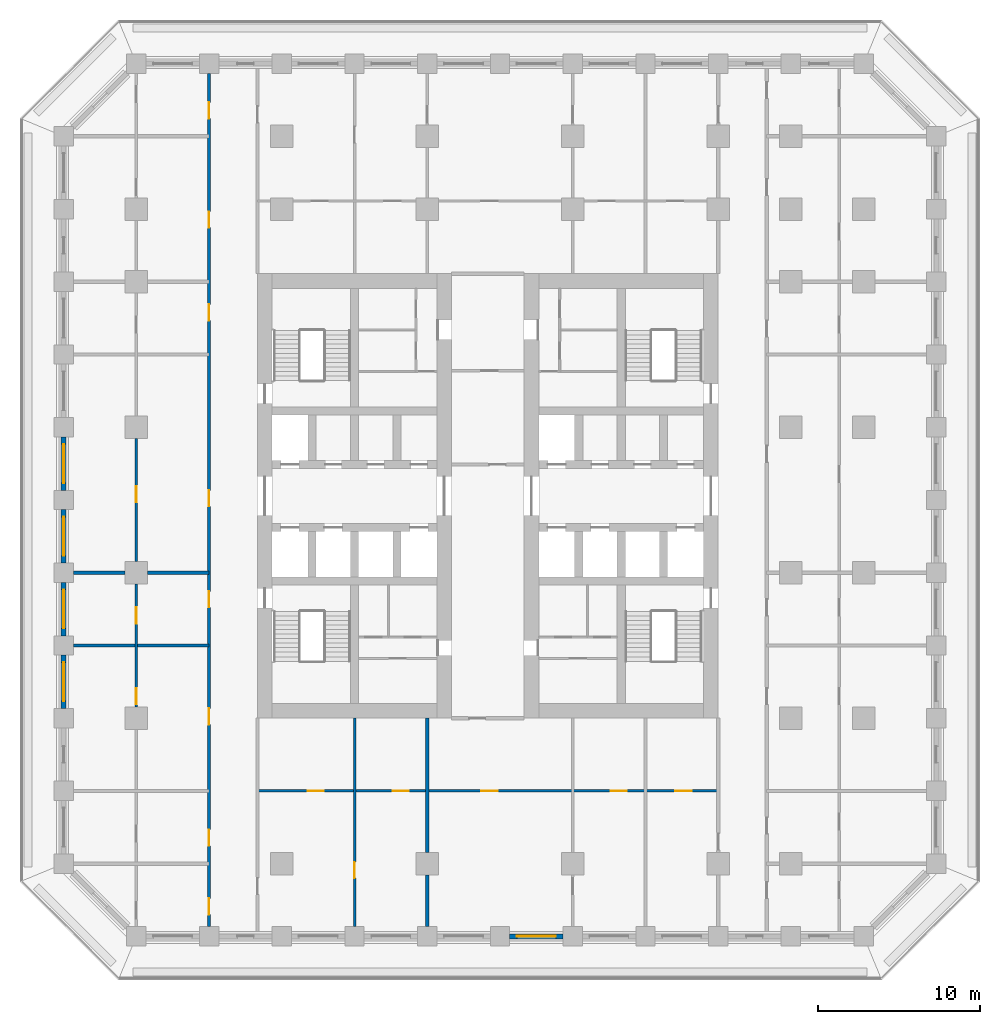
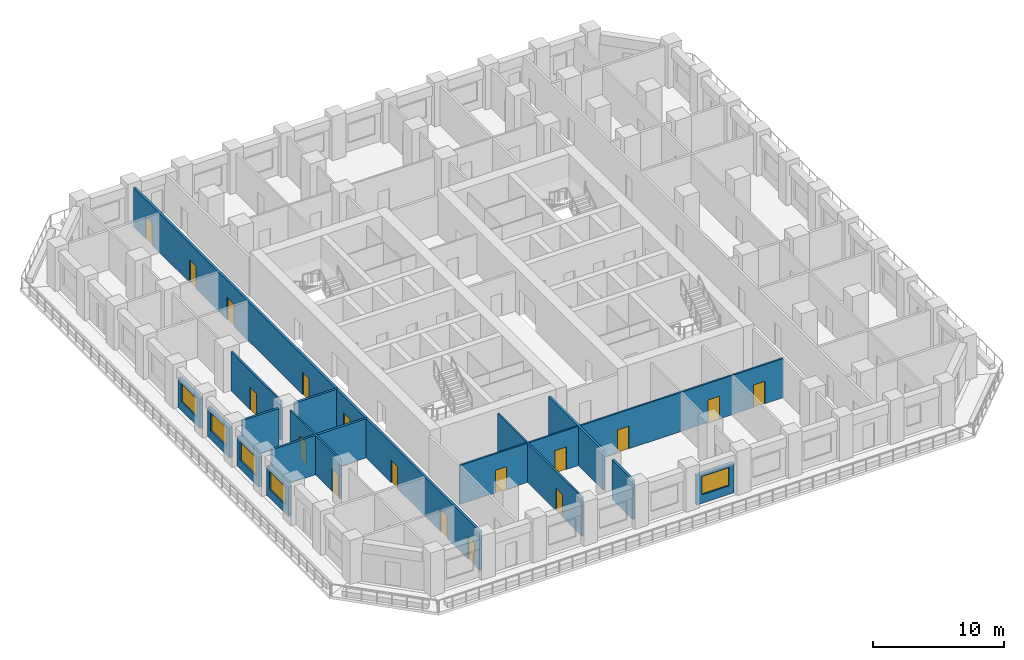
# One storey, part 3 of 18: 17 doors, 15 walls, 5 windows, 22 openings.
"""IFC4 building model written with IfcOpenShell, lengths in metres."""

from ifc_helpers import new_model, si_unit, direction, frame, frame_2d, origin, place, context, subcontext, project, spatial, rectangle, extrude, material, layer, layer_set, type_object, element, fill, save


model = new_model("IFC4")

# Units and contexts
model_context = context("Model", 3, precision=1e-05, world=origin(), true_north=direction((0.0, 1.0)))
body_context = subcontext(model_context, "Body", "Model", "MODEL_VIEW")
ifc_project = project(units=[si_unit("LENGTHUNIT", "METRE"), si_unit("AREAUNIT", "SQUARE_METRE"), si_unit("VOLUMEUNIT", "CUBIC_METRE"), si_unit("PLANEANGLEUNIT", "RADIAN"), si_unit("MASSUNIT", "GRAM", prefix="KILO")], contexts=[model_context])

# Site, building, storey
site_placement = place(None, origin())
site = spatial("IfcSite", under=ifc_project, at=site_placement, CompositionType="ELEMENT")
building_placement = place(site_placement, origin())
building = spatial("IfcBuilding", under=site, at=building_placement, Name="Corbel Stack Research Tower", CompositionType="ELEMENT")
storey_placement = place(building_placement, frame((0.0, 0.0, 102.5)))
storey = spatial("IfcBuildingStorey", under=building, at=storey_placement, Name="L23", CompositionType="ELEMENT", Elevation=102.5)

# Wall, opening, door
ifc_material_1 = material(Name="Fire-rated gypsum board partition on steel studs", Category="steel")
ifc_layer_1 = layer(ifc_material_1, 0.14990234375)
ifc_layer_set_1 = layer_set([ifc_layer_1], Name="Fire-rated gypsum board partition on steel studs")
wall_type_1 = type_object("IfcWallType", Name="Fire-rated partition 150 EI 60", PredefinedType="PARTITIONING", material=ifc_layer_set_1)
wall_1_placement = place(storey_placement, frame((-4.5, -9.0, 0.0), z_axis=(0.0, 0.0, 1.0), x_axis=(0.0, -1.0, 0.0)))
wall_1 = element("IfcWall", 1, at=wall_1_placement, inside=storey, type_object=wall_type_1, Name="Partition L23-010", PredefinedType="PARTITIONING", context=body_context, shape_type="SweptSolid", body=[
    extrude(rectangle(XDim=12.89990234375, YDim=0.14990234375, at=frame_2d((6.449951171875, 0.0))), origin(), (0.0, 0.0, 1.0), 3.64990234375),
])
opening_1_placement = place(wall_1_placement, frame((8.89990234375, 0.0, 0.0)))
opening_1 = element("IfcOpeningElement", 2, at=opening_1_placement, cuts=wall_1, Name="Opening B3V2-025", PredefinedType="OPENING", context=body_context, shape_type="SweptSolid", body=[
    extrude(rectangle(XDim=1.0, YDim=2.10009765625, at=frame_2d((0.5, 1.050048828125))), frame((0.0, 0.0849609375, 0.0), z_axis=(0.0, -1.0, 0.0), x_axis=(1.0, 0.0, 0.0)), (0.0, 0.0, 1.0), 0.169921875),
])
ifc_material_2 = material(Name="Painted steel fire door", Category="steel")
door_type_1 = type_object("IfcDoorType", Name="Fire door FD30S 1000 x 2100", OperationType="NOTDEFINED", PredefinedType="DOOR", material=ifc_material_2)
door_1_placement = place(opening_1_placement, origin())
door_1 = element("IfcDoor", 3, at=door_1_placement, inside=storey, type_object=door_type_1, Name="Door B3V2-025", OperationType="SINGLE_SWING_RIGHT", OverallHeight=2.10009765625, OverallWidth=1.0, PredefinedType="DOOR", context=body_context, shape_type="SweptSolid", body=[
    extrude(rectangle(XDim=1.0, YDim=2.10009765625, at=frame_2d((0.5, 1.050048828125))), frame((0.0, 0.02490234375, 0.0), z_axis=(0.0, -1.0, 0.0), x_axis=(1.0, 0.0, 0.0)), (0.0, 0.0, 1.0), 0.050048828125),
])
fill(opening_1, door_1)

# Wall, openings, doors
ifc_material_3 = material(Name="Fire-rated gypsum board partition on steel studs", Category="steel")
ifc_layer_2 = layer(ifc_material_3, 0.199951171875)
ifc_layer_set_2 = layer_set([ifc_layer_2], Name="Fire-rated gypsum board partition on steel studs")
wall_type_2 = type_object("IfcWallType", Name="Fire-rated partition 200 EI 60", PredefinedType="PARTITIONING", material=ifc_layer_set_2)
wall_2_placement = place(storey_placement, frame((-13.5, -21.89990234375, 0.0), z_axis=(0.0, 0.0, 1.0), x_axis=(0.0, 1.0, 0.0)))
wall_2 = element("IfcWall", 4, at=wall_2_placement, inside=storey, type_object=wall_type_2, Name="Partition L23-007", PredefinedType="PARTITIONING", context=body_context, shape_type="SweptSolid", body=[
    extrude(rectangle(XDim=52.7998046875, YDim=0.199951171875, at=frame_2d((26.39990234375, 0.0))), origin(), (0.0, 0.0, 1.0), 3.64990234375),
])
opening_2_placement = place(wall_2_placement, frame((0.75, 0.0, 0.0)))
opening_2 = element("IfcOpeningElement", 5, at=opening_2_placement, cuts=wall_2, Name="Opening B3V2-009", PredefinedType="OPENING", context=body_context, shape_type="SweptSolid", body=[
    extrude(rectangle(XDim=1.0, YDim=2.10009765625, at=frame_2d((0.5, 1.050048828125))), frame((0.0, 0.10986328125, 0.0), z_axis=(0.0, -1.0, 0.0), x_axis=(1.0, 0.0, 0.0)), (0.0, 0.0, 1.0), 0.219970703125),
])
opening_3_placement = place(wall_2_placement, frame((5.0, 0.0, 0.0)))
opening_3 = element("IfcOpeningElement", 6, at=opening_3_placement, cuts=wall_2, Name="Opening B3V2-010", PredefinedType="OPENING", context=body_context, shape_type="SweptSolid", body=[
    extrude(rectangle(XDim=1.0, YDim=2.10009765625, at=frame_2d((0.5, 1.050048828125))), frame((0.0, 0.10986328125, 0.0), z_axis=(0.0, -1.0, 0.0), x_axis=(1.0, 0.0, 0.0)), (0.0, 0.0, 1.0), 0.219970703125),
])
opening_4_placement = place(wall_2_placement, frame((12.5, 0.0, 0.0)))
opening_4 = element("IfcOpeningElement", 7, at=opening_4_placement, cuts=wall_2, Name="Opening B3V2-011", PredefinedType="OPENING", context=body_context, shape_type="SweptSolid", body=[
    extrude(rectangle(XDim=1.0, YDim=2.10009765625, at=frame_2d((0.5, 1.050048828125))), frame((0.0, 0.10986328125, 0.0), z_axis=(0.0, -1.0, 0.0), x_axis=(1.0, 0.0, 0.0)), (0.0, 0.0, 1.0), 0.219970703125),
])
opening_5_placement = place(wall_2_placement, frame((19.75, 0.0, 0.0)))
opening_5 = element("IfcOpeningElement", 8, at=opening_5_placement, cuts=wall_2, Name="Opening B3V2-013", PredefinedType="OPENING", context=body_context, shape_type="SweptSolid", body=[
    extrude(rectangle(XDim=1.0, YDim=2.10009765625, at=frame_2d((0.5, 1.050048828125))), frame((0.0, 0.10986328125, 0.0), z_axis=(0.0, -1.0, 0.0), x_axis=(1.0, 0.0, 0.0)), (0.0, 0.0, 1.0), 0.219970703125),
])
opening_6_placement = place(wall_2_placement, frame((26.0, 0.0, 0.0)))
opening_6 = element("IfcOpeningElement", 9, at=opening_6_placement, cuts=wall_2, Name="Opening B3V2-016", PredefinedType="OPENING", context=body_context, shape_type="SweptSolid", body=[
    extrude(rectangle(XDim=1.0, YDim=2.10009765625, at=frame_2d((0.5, 1.050048828125))), frame((0.0, 0.10986328125, 0.0), z_axis=(0.0, -1.0, 0.0), x_axis=(1.0, 0.0, 0.0)), (0.0, 0.0, 1.0), 0.219970703125),
])
opening_7_placement = place(wall_2_placement, frame((37.5, 0.0, 0.0)))
opening_7 = element("IfcOpeningElement", 10, at=opening_7_placement, cuts=wall_2, Name="Opening B3V2-019", PredefinedType="OPENING", context=body_context, shape_type="SweptSolid", body=[
    extrude(rectangle(XDim=1.0, YDim=2.10009765625, at=frame_2d((0.5, 1.050048828125))), frame((0.0, 0.10986328125, 0.0), z_axis=(0.0, -1.0, 0.0), x_axis=(1.0, 0.0, 0.0)), (0.0, 0.0, 1.0), 0.219970703125),
])
opening_8_placement = place(wall_2_placement, frame((43.25, 0.0, 0.0)))
opening_8 = element("IfcOpeningElement", 11, at=opening_8_placement, cuts=wall_2, Name="Opening B3V2-020", PredefinedType="OPENING", context=body_context, shape_type="SweptSolid", body=[
    extrude(rectangle(XDim=1.0, YDim=2.10009765625, at=frame_2d((0.5, 1.050048828125))), frame((0.0, 0.10986328125, 0.0), z_axis=(0.0, -1.0, 0.0), x_axis=(1.0, 0.0, 0.0)), (0.0, 0.0, 1.0), 0.219970703125),
])
opening_9_placement = place(wall_2_placement, frame((50.0, 0.0, 0.0)))
opening_9 = element("IfcOpeningElement", 12, at=opening_9_placement, cuts=wall_2, Name="Opening B3V2-021", PredefinedType="OPENING", context=body_context, shape_type="SweptSolid", body=[
    extrude(rectangle(XDim=1.0, YDim=2.10009765625, at=frame_2d((0.5, 1.050048828125))), frame((0.0, 0.10986328125, 0.0), z_axis=(0.0, -1.0, 0.0), x_axis=(1.0, 0.0, 0.0)), (0.0, 0.0, 1.0), 0.219970703125),
])
door_2_placement = place(opening_2_placement, origin())
door_2 = element("IfcDoor", 13, at=door_2_placement, inside=storey, type_object=door_type_1, Name="Door B3V2-009", OperationType="SINGLE_SWING_LEFT", OverallHeight=2.10009765625, OverallWidth=1.0, PredefinedType="DOOR", context=body_context, shape_type="SweptSolid", body=[
    extrude(rectangle(XDim=1.0, YDim=2.10009765625, at=frame_2d((0.5, 1.050048828125))), frame((0.0, 0.02490234375, 0.0), z_axis=(0.0, -1.0, 0.0), x_axis=(1.0, 0.0, 0.0)), (0.0, 0.0, 1.0), 0.050048828125),
])
fill(opening_2, door_2)
door_3_placement = place(opening_3_placement, origin())
door_3 = element("IfcDoor", 14, at=door_3_placement, inside=storey, type_object=door_type_1, Name="Door B3V2-010", OperationType="SINGLE_SWING_LEFT", OverallHeight=2.10009765625, OverallWidth=1.0, PredefinedType="DOOR", context=body_context, shape_type="SweptSolid", body=[
    extrude(rectangle(XDim=1.0, YDim=2.10009765625, at=frame_2d((0.5, 1.050048828125))), frame((0.0, 0.02490234375, 0.0), z_axis=(0.0, -1.0, 0.0), x_axis=(1.0, 0.0, 0.0)), (0.0, 0.0, 1.0), 0.050048828125),
])
fill(opening_3, door_3)
door_4_placement = place(opening_4_placement, origin())
door_4 = element("IfcDoor", 15, at=door_4_placement, inside=storey, type_object=door_type_1, Name="Door B3V2-011", OperationType="SINGLE_SWING_LEFT", OverallHeight=2.10009765625, OverallWidth=1.0, PredefinedType="DOOR", context=body_context, shape_type="SweptSolid", body=[
    extrude(rectangle(XDim=1.0, YDim=2.10009765625, at=frame_2d((0.5, 1.050048828125))), frame((0.0, 0.02490234375, 0.0), z_axis=(0.0, -1.0, 0.0), x_axis=(1.0, 0.0, 0.0)), (0.0, 0.0, 1.0), 0.050048828125),
])
fill(opening_4, door_4)
door_5_placement = place(opening_5_placement, origin())
door_5 = element("IfcDoor", 16, at=door_5_placement, inside=storey, type_object=door_type_1, Name="Door B3V2-013", OperationType="SINGLE_SWING_LEFT", OverallHeight=2.10009765625, OverallWidth=1.0, PredefinedType="DOOR", context=body_context, shape_type="SweptSolid", body=[
    extrude(rectangle(XDim=1.0, YDim=2.10009765625, at=frame_2d((0.5, 1.050048828125))), frame((0.0, 0.02490234375, 0.0), z_axis=(0.0, -1.0, 0.0), x_axis=(1.0, 0.0, 0.0)), (0.0, 0.0, 1.0), 0.050048828125),
])
fill(opening_5, door_5)
door_6_placement = place(opening_6_placement, origin())
door_6 = element("IfcDoor", 17, at=door_6_placement, inside=storey, type_object=door_type_1, Name="Door B3V2-016", OperationType="SINGLE_SWING_RIGHT", OverallHeight=2.10009765625, OverallWidth=1.0, PredefinedType="DOOR", context=body_context, shape_type="SweptSolid", body=[
    extrude(rectangle(XDim=1.0, YDim=2.10009765625, at=frame_2d((0.5, 1.050048828125))), frame((0.0, 0.02490234375, 0.0), z_axis=(0.0, -1.0, 0.0), x_axis=(1.0, 0.0, 0.0)), (0.0, 0.0, 1.0), 0.050048828125),
])
fill(opening_6, door_6)
door_7_placement = place(opening_7_placement, origin())
door_7 = element("IfcDoor", 18, at=door_7_placement, inside=storey, type_object=door_type_1, Name="Door B3V2-019", OperationType="SINGLE_SWING_RIGHT", OverallHeight=2.10009765625, OverallWidth=1.0, PredefinedType="DOOR", context=body_context, shape_type="SweptSolid", body=[
    extrude(rectangle(XDim=1.0, YDim=2.10009765625, at=frame_2d((0.5, 1.050048828125))), frame((0.0, 0.02490234375, 0.0), z_axis=(0.0, -1.0, 0.0), x_axis=(1.0, 0.0, 0.0)), (0.0, 0.0, 1.0), 0.050048828125),
])
fill(opening_7, door_7)
door_8_placement = place(opening_8_placement, origin())
door_8 = element("IfcDoor", 19, at=door_8_placement, inside=storey, type_object=door_type_1, Name="Door B3V2-020", OperationType="SINGLE_SWING_RIGHT", OverallHeight=2.10009765625, OverallWidth=1.0, PredefinedType="DOOR", context=body_context, shape_type="SweptSolid", body=[
    extrude(rectangle(XDim=1.0, YDim=2.10009765625, at=frame_2d((0.5, 1.050048828125))), frame((0.0, 0.02490234375, 0.0), z_axis=(0.0, -1.0, 0.0), x_axis=(1.0, 0.0, 0.0)), (0.0, 0.0, 1.0), 0.050048828125),
])
fill(opening_8, door_8)
door_9_placement = place(opening_9_placement, origin())
door_9 = element("IfcDoor", 20, at=door_9_placement, inside=storey, type_object=door_type_1, Name="Door B3V2-021", OperationType="SINGLE_SWING_RIGHT", OverallHeight=2.10009765625, OverallWidth=1.0, PredefinedType="DOOR", context=body_context, shape_type="SweptSolid", body=[
    extrude(rectangle(XDim=1.0, YDim=2.10009765625, at=frame_2d((0.5, 1.050048828125))), frame((0.0, 0.02490234375, 0.0), z_axis=(0.0, -1.0, 0.0), x_axis=(1.0, 0.0, 0.0)), (0.0, 0.0, 1.0), 0.050048828125),
])
fill(opening_9, door_9)

# Walls
wall_3_placement = place(storey_placement, frame((0.0, -21.89990234375, 0.0), z_axis=(0.0, 0.0, 1.0), x_axis=(0.0, 1.0, 0.0)))
element("IfcWall", 21, at=wall_3_placement, inside=storey, type_object=wall_type_2, Name="Partition L23-015", PredefinedType="PARTITIONING", context=body_context, shape_type="SweptSolid", body=[
    extrude(rectangle(XDim=3.199951171875, YDim=0.199951171875, at=frame_2d((1.60009765625, 0.0))), origin(), (0.0, 0.0, 1.0), 3.64990234375),
])
wall_4_placement = place(storey_placement, frame((0.0, -17.300048828125, 0.0), z_axis=(0.0, 0.0, 1.0), x_axis=(0.0, 1.0, 0.0)))
element("IfcWall", 22, at=wall_4_placement, inside=storey, type_object=wall_type_2, Name="Partition L23-016", PredefinedType="PARTITIONING", context=body_context, shape_type="SweptSolid", body=[
    extrude(rectangle(XDim=8.300048828125, YDim=0.199951171875, at=frame_2d((4.14990234375, 0.0))), origin(), (0.0, 0.0, 1.0), 3.64990234375),
])
wall_5_placement = place(storey_placement, frame((-21.89990234375, -4.5, 0.0), z_axis=(0.0, 0.0, 1.0), x_axis=(1.0, 0.0, 0.0)))
element("IfcWall", 23, at=wall_5_placement, inside=storey, type_object=wall_type_2, Name="Partition L23-038", PredefinedType="PARTITIONING", context=body_context, shape_type="SweptSolid", body=[
    extrude(rectangle(XDim=8.39990234375, YDim=0.199951171875, at=frame_2d((4.199951171875, 0.0))), origin(), (0.0, 0.0, 1.0), 3.64990234375),
])
wall_6_placement = place(storey_placement, frame((-21.89990234375, 0.0, 0.0), z_axis=(0.0, 0.0, 1.0), x_axis=(1.0, 0.0, 0.0)))
element("IfcWall", 24, at=wall_6_placement, inside=storey, type_object=wall_type_2, Name="Partition L23-040", PredefinedType="PARTITIONING", context=body_context, shape_type="SweptSolid", body=[
    extrude(rectangle(XDim=3.199951171875, YDim=0.199951171875, at=frame_2d((1.60009765625, 0.0))), origin(), (0.0, 0.0, 1.0), 3.64990234375),
])
wall_7_placement = place(storey_placement, frame((-17.300048828125, 0.0, 0.0), z_axis=(0.0, 0.0, 1.0), x_axis=(1.0, 0.0, 0.0)))
element("IfcWall", 25, at=wall_7_placement, inside=storey, type_object=wall_type_2, Name="Partition L23-041", PredefinedType="PARTITIONING", context=body_context, shape_type="SweptSolid", body=[
    extrude(rectangle(XDim=3.800048828125, YDim=0.199951171875, at=frame_2d((1.89990234375, 0.0))), origin(), (0.0, 0.0, 1.0), 3.64990234375),
])

# Wall, openings, doors
ifc_material_4 = material(Name="Gypsum board partition on steel studs", Category="steel")
ifc_layer_3 = layer(ifc_material_4, 0.14990234375)
ifc_layer_set_3 = layer_set([ifc_layer_3], Name="Gypsum board partition on steel studs")
wall_type_3 = type_object("IfcWallType", Name="Partition 150", PredefinedType="PARTITIONING", material=ifc_layer_set_3)
wall_8_placement = place(storey_placement, frame((-18.0, -8.300048828125, 0.0), z_axis=(0.0, 0.0, 1.0), x_axis=(0.0, 1.0, 0.0)))
wall_8 = element("IfcWall", 26, at=wall_8_placement, inside=storey, type_object=wall_type_3, Name="Partition L23-002", PredefinedType="PARTITIONING", context=body_context, shape_type="SweptSolid", body=[
    extrude(rectangle(XDim=7.60009765625, YDim=0.14990234375, at=frame_2d((3.800048828125, 0.0))), origin(), (0.0, 0.0, 1.0), 3.64990234375),
])
opening_10_placement = place(wall_8_placement, frame((0.14990234375, 0.0, 0.0)))
opening_10 = element("IfcOpeningElement", 27, at=opening_10_placement, cuts=wall_8, Name="Opening B3V2-003", PredefinedType="OPENING", context=body_context, shape_type="SweptSolid", body=[
    extrude(rectangle(XDim=1.0, YDim=2.10009765625, at=frame_2d((0.5, 1.050048828125))), frame((0.0, 0.0849609375, 0.0), z_axis=(0.0, -1.0, 0.0), x_axis=(1.0, 0.0, 0.0)), (0.0, 0.0, 1.0), 0.169921875),
])
opening_11_placement = place(wall_8_placement, frame((5.14990234375, 0.0, 0.0)))
opening_11 = element("IfcOpeningElement", 28, at=opening_11_placement, cuts=wall_8, Name="Opening B3V2-004", PredefinedType="OPENING", context=body_context, shape_type="SweptSolid", body=[
    extrude(rectangle(XDim=1.0, YDim=2.10009765625, at=frame_2d((0.5, 1.050048828125))), frame((0.0, 0.0849609375, 0.0), z_axis=(0.0, -1.0, 0.0), x_axis=(1.0, 0.0, 0.0)), (0.0, 0.0, 1.0), 0.169921875),
])
ifc_material_5 = material(Name="Painted timber door", Category="wood")
door_type_2 = type_object("IfcDoorType", Name="Single door 1000 x 2100", OperationType="NOTDEFINED", PredefinedType="DOOR", material=ifc_material_5)
door_10_placement = place(opening_10_placement, origin())
door_10 = element("IfcDoor", 29, at=door_10_placement, inside=storey, type_object=door_type_2, Name="Door B3V2-003", OperationType="SINGLE_SWING_LEFT", OverallHeight=2.10009765625, OverallWidth=1.0, PredefinedType="DOOR", context=body_context, shape_type="SweptSolid", body=[
    extrude(rectangle(XDim=1.0, YDim=2.10009765625, at=frame_2d((0.5, 1.050048828125))), frame((0.0, 0.02490234375, 0.0), z_axis=(0.0, -1.0, 0.0), x_axis=(1.0, 0.0, 0.0)), (0.0, 0.0, 1.0), 0.050048828125),
])
fill(opening_10, door_10)
door_11_placement = place(opening_11_placement, origin())
door_11 = element("IfcDoor", 30, at=door_11_placement, inside=storey, type_object=door_type_2, Name="Door B3V2-004", OperationType="SINGLE_SWING_RIGHT", OverallHeight=2.10009765625, OverallWidth=1.0, PredefinedType="DOOR", context=body_context, shape_type="SweptSolid", body=[
    extrude(rectangle(XDim=1.0, YDim=2.10009765625, at=frame_2d((0.5, 1.050048828125))), frame((0.0, 0.02490234375, 0.0), z_axis=(0.0, -1.0, 0.0), x_axis=(1.0, 0.0, 0.0)), (0.0, 0.0, 1.0), 0.050048828125),
])
fill(opening_11, door_11)

# Wall, opening, door
wall_9_placement = place(storey_placement, frame((-18.0, 0.699951171875, 0.0), z_axis=(0.0, 0.0, 1.0), x_axis=(0.0, 1.0, 0.0)))
wall_9 = element("IfcWall", 31, at=wall_9_placement, inside=storey, type_object=wall_type_3, Name="Partition L23-003", PredefinedType="PARTITIONING", context=body_context, shape_type="SweptSolid", body=[
    extrude(rectangle(XDim=7.60009765625, YDim=0.14990234375, at=frame_2d((3.800048828125, 0.0))), origin(), (0.0, 0.0, 1.0), 3.64990234375),
])
opening_12_placement = place(wall_9_placement, frame((3.64990234375, 0.0, 0.0)))
opening_12 = element("IfcOpeningElement", 32, at=opening_12_placement, cuts=wall_9, Name="Opening B3V2-005", PredefinedType="OPENING", context=body_context, shape_type="SweptSolid", body=[
    extrude(rectangle(XDim=1.0, YDim=2.10009765625, at=frame_2d((0.5, 1.050048828125))), frame((0.0, 0.0849609375, 0.0), z_axis=(0.0, -1.0, 0.0), x_axis=(1.0, 0.0, 0.0)), (0.0, 0.0, 1.0), 0.169921875),
])
door_12_placement = place(opening_12_placement, origin())
door_12 = element("IfcDoor", 33, at=door_12_placement, inside=storey, type_object=door_type_2, Name="Door B3V2-005", OperationType="SINGLE_SWING_RIGHT", OverallHeight=2.10009765625, OverallWidth=1.0, PredefinedType="DOOR", context=body_context, shape_type="SweptSolid", body=[
    extrude(rectangle(XDim=1.0, YDim=2.10009765625, at=frame_2d((0.5, 1.050048828125))), frame((0.0, 0.02490234375, 0.0), z_axis=(0.0, -1.0, 0.0), x_axis=(1.0, 0.0, 0.0)), (0.0, 0.0, 1.0), 0.050048828125),
])
fill(opening_12, door_12)

# Wall, openings, doors
wall_10_placement = place(storey_placement, frame((-10.5, -13.5, 0.0), z_axis=(0.0, 0.0, 1.0), x_axis=(1.0, 0.0, 0.0)))
wall_10 = element("IfcWall", 34, at=wall_10_placement, inside=storey, type_object=wall_type_3, Name="Partition L23-034", PredefinedType="PARTITIONING", context=body_context, shape_type="SweptSolid", body=[
    extrude(rectangle(XDim=28.5, YDim=0.14990234375, at=frame_2d((14.25, 0.0))), origin(), (0.0, 0.0, 1.0), 3.64990234375),
])
opening_13_placement = place(wall_10_placement, frame((3.10009765625, 0.0, 0.0)))
opening_13 = element("IfcOpeningElement", 35, at=opening_13_placement, cuts=wall_10, Name="Opening B3V2-012", PredefinedType="OPENING", context=body_context, shape_type="SweptSolid", body=[
    extrude(rectangle(XDim=1.0, YDim=2.10009765625, at=frame_2d((0.5, 1.050048828125))), frame((0.0, 0.0849609375, 0.0), z_axis=(0.0, -1.0, 0.0), x_axis=(1.0, 0.0, 0.0)), (0.0, 0.0, 1.0), 0.169921875),
])
opening_14_placement = place(wall_10_placement, frame((8.35009765625, 0.0, 0.0)))
opening_14 = element("IfcOpeningElement", 36, at=opening_14_placement, cuts=wall_10, Name="Opening B3V2-014", PredefinedType="OPENING", context=body_context, shape_type="SweptSolid", body=[
    extrude(rectangle(XDim=1.0, YDim=2.10009765625, at=frame_2d((0.5, 1.050048828125))), frame((0.0, 0.0849609375, 0.0), z_axis=(0.0, -1.0, 0.0), x_axis=(1.0, 0.0, 0.0)), (0.0, 0.0, 1.0), 0.169921875),
])
opening_15_placement = place(wall_10_placement, frame((13.85009765625, 0.0, 0.0)))
opening_15 = element("IfcOpeningElement", 37, at=opening_15_placement, cuts=wall_10, Name="Opening B3V2-015", PredefinedType="OPENING", context=body_context, shape_type="SweptSolid", body=[
    extrude(rectangle(XDim=1.0, YDim=2.10009765625, at=frame_2d((0.5, 1.050048828125))), frame((0.0, 0.0849609375, 0.0), z_axis=(0.0, -1.0, 0.0), x_axis=(1.0, 0.0, 0.0)), (0.0, 0.0, 1.0), 0.169921875),
])
opening_16_placement = place(wall_10_placement, frame((21.85009765625, 0.0, 0.0)))
opening_16 = element("IfcOpeningElement", 38, at=opening_16_placement, cuts=wall_10, Name="Opening B3V2-017", PredefinedType="OPENING", context=body_context, shape_type="SweptSolid", body=[
    extrude(rectangle(XDim=1.0, YDim=2.10009765625, at=frame_2d((0.5, 1.050048828125))), frame((0.0, 0.0849609375, 0.0), z_axis=(0.0, -1.0, 0.0), x_axis=(1.0, 0.0, 0.0)), (0.0, 0.0, 1.0), 0.169921875),
])
opening_17_placement = place(wall_10_placement, frame((25.85009765625, 0.0, 0.0)))
opening_17 = element("IfcOpeningElement", 39, at=opening_17_placement, cuts=wall_10, Name="Opening B3V2-018", PredefinedType="OPENING", context=body_context, shape_type="SweptSolid", body=[
    extrude(rectangle(XDim=1.0, YDim=2.10009765625, at=frame_2d((0.5, 1.050048828125))), frame((0.0, 0.0849609375, 0.0), z_axis=(0.0, -1.0, 0.0), x_axis=(1.0, 0.0, 0.0)), (0.0, 0.0, 1.0), 0.169921875),
])
door_13_placement = place(opening_13_placement, origin())
door_13 = element("IfcDoor", 40, at=door_13_placement, inside=storey, type_object=door_type_2, Name="Door B3V2-012", OperationType="SINGLE_SWING_LEFT", OverallHeight=2.10009765625, OverallWidth=1.0, PredefinedType="DOOR", context=body_context, shape_type="SweptSolid", body=[
    extrude(rectangle(XDim=1.0, YDim=2.10009765625, at=frame_2d((0.5, 1.050048828125))), frame((0.0, 0.02490234375, 0.0), z_axis=(0.0, -1.0, 0.0), x_axis=(1.0, 0.0, 0.0)), (0.0, 0.0, 1.0), 0.050048828125),
])
fill(opening_13, door_13)
door_14_placement = place(opening_14_placement, origin())
door_14 = element("IfcDoor", 41, at=door_14_placement, inside=storey, type_object=door_type_2, Name="Door B3V2-014", OperationType="SINGLE_SWING_LEFT", OverallHeight=2.10009765625, OverallWidth=1.0, PredefinedType="DOOR", context=body_context, shape_type="SweptSolid", body=[
    extrude(rectangle(XDim=1.0, YDim=2.10009765625, at=frame_2d((0.5, 1.050048828125))), frame((0.0, 0.02490234375, 0.0), z_axis=(0.0, -1.0, 0.0), x_axis=(1.0, 0.0, 0.0)), (0.0, 0.0, 1.0), 0.050048828125),
])
fill(opening_14, door_14)
door_15_placement = place(opening_15_placement, origin())
door_15 = element("IfcDoor", 42, at=door_15_placement, inside=storey, type_object=door_type_2, Name="Door B3V2-015", OperationType="SINGLE_SWING_RIGHT", OverallHeight=2.10009765625, OverallWidth=1.0, PredefinedType="DOOR", context=body_context, shape_type="SweptSolid", body=[
    extrude(rectangle(XDim=1.0, YDim=2.10009765625, at=frame_2d((0.5, 1.050048828125))), frame((0.0, 0.02490234375, 0.0), z_axis=(0.0, -1.0, 0.0), x_axis=(1.0, 0.0, 0.0)), (0.0, 0.0, 1.0), 0.050048828125),
])
fill(opening_15, door_15)
door_16_placement = place(opening_16_placement, origin())
door_16 = element("IfcDoor", 43, at=door_16_placement, inside=storey, type_object=door_type_2, Name="Door B3V2-017", OperationType="SINGLE_SWING_RIGHT", OverallHeight=2.10009765625, OverallWidth=1.0, PredefinedType="DOOR", context=body_context, shape_type="SweptSolid", body=[
    extrude(rectangle(XDim=1.0, YDim=2.10009765625, at=frame_2d((0.5, 1.050048828125))), frame((0.0, 0.02490234375, 0.0), z_axis=(0.0, -1.0, 0.0), x_axis=(1.0, 0.0, 0.0)), (0.0, 0.0, 1.0), 0.050048828125),
])
fill(opening_16, door_16)
door_17_placement = place(opening_17_placement, origin())
door_17 = element("IfcDoor", 44, at=door_17_placement, inside=storey, type_object=door_type_2, Name="Door B3V2-018", OperationType="SINGLE_SWING_RIGHT", OverallHeight=2.10009765625, OverallWidth=1.0, PredefinedType="DOOR", context=body_context, shape_type="SweptSolid", body=[
    extrude(rectangle(XDim=1.0, YDim=2.10009765625, at=frame_2d((0.5, 1.050048828125))), frame((0.0, 0.02490234375, 0.0), z_axis=(0.0, -1.0, 0.0), x_axis=(1.0, 0.0, 0.0)), (0.0, 0.0, 1.0), 0.050048828125),
])
fill(opening_17, door_17)

# Wall, opening, window
ifc_material_6 = material(Name="Concrete C45/55", Category="concrete")
ifc_layer_4 = layer(ifc_material_6, 0.300048828125)
ifc_layer_set_4 = layer_set([ifc_layer_4], Name="Concrete C45/55")
wall_type_4 = type_object("IfcWallType", Name="Terracotta-faced concrete wall 300", PredefinedType="SOLIDWALL", material=ifc_layer_set_4)
wall_11_placement = place(storey_placement, frame((8.39990234375, -22.5, 0.0), z_axis=(0.0, 0.0, 1.0), x_axis=(-1.0, 0.0, 0.0)))
wall_11 = element("IfcWall", 45, at=wall_11_placement, inside=storey, type_object=wall_type_4, Name="Facade wall L23 S06", PredefinedType="SOLIDWALL", context=body_context, shape_type="SweptSolid", body=[
    extrude(rectangle(XDim=3.2998046875, YDim=0.300048828125, at=frame_2d((1.64990234375, 0.0))), origin(), (0.0, 0.0, 1.0), 2.75),
])
opening_18_placement = place(wall_11_placement, frame((0.449951171875, 0.0, 0.800048828125)))
opening_18 = element("IfcOpeningElement", 46, at=opening_18_placement, cuts=wall_11, Name="Opening W1", PredefinedType="OPENING", context=body_context, shape_type="SweptSolid", body=[
    extrude(rectangle(XDim=2.39990234375, YDim=1.699951171875, at=frame_2d((1.199951171875, 0.85009765625))), frame((0.0, 0.159912109375, 0.0), z_axis=(0.0, -1.0, 0.0), x_axis=(1.0, 0.0, 0.0)), (0.0, 0.0, 1.0), 0.320068359375),
])
ifc_material_7 = material(Name="Aluminium frame, clear double glazing", Category="aluminium")
window_type = type_object("IfcWindowType", Name="Window W1 2400 x 1700", PartitioningType="SINGLE_PANEL", PredefinedType="WINDOW", material=ifc_material_7)
window_1_placement = place(opening_18_placement, origin())
window_1 = element("IfcWindow", 47, at=window_1_placement, inside=storey, type_object=window_type, Name="Window W1 L23 S06", OverallHeight=1.699951171875, OverallWidth=2.39990234375, PartitioningType="SINGLE_PANEL", PredefinedType="WINDOW", context=body_context, shape_type="SweptSolid", body=[
    extrude(rectangle(XDim=2.39990234375, YDim=1.699951171875, at=frame_2d((1.199951171875, 0.85009765625))), frame((0.0, 0.030029296875, 0.0), z_axis=(0.0, -1.0, 0.0), x_axis=(1.0, 0.0, 0.0)), (0.0, 0.0, 1.0), 0.06005859375),
])
fill(opening_18, window_1)

wall_12_placement = place(storey_placement, frame((-22.5, 5.10009765625, 0.0), z_axis=(0.0, 0.0, 1.0), x_axis=(0.0, 1.0, 0.0)))
wall_12 = element("IfcWall", 48, at=wall_12_placement, inside=storey, type_object=wall_type_4, Name="Facade wall L23 W05", PredefinedType="SOLIDWALL", context=body_context, shape_type="SweptSolid", body=[
    extrude(rectangle(XDim=3.2998046875, YDim=0.300048828125, at=frame_2d((1.64990234375, 0.0))), origin(), (0.0, 0.0, 1.0), 2.75),
])
opening_19_placement = place(wall_12_placement, frame((0.449951171875, 0.0, 0.800048828125)))
opening_19 = element("IfcOpeningElement", 49, at=opening_19_placement, cuts=wall_12, Name="Opening W1", PredefinedType="OPENING", context=body_context, shape_type="SweptSolid", body=[
    extrude(rectangle(XDim=2.39990234375, YDim=1.699951171875, at=frame_2d((1.199951171875, 0.85009765625))), frame((0.0, 0.159912109375, 0.0), z_axis=(0.0, -1.0, 0.0), x_axis=(1.0, 0.0, 0.0)), (0.0, 0.0, 1.0), 0.320068359375),
])
window_2_placement = place(opening_19_placement, origin())
window_2 = element("IfcWindow", 50, at=window_2_placement, inside=storey, type_object=window_type, Name="Window W1 L23 W05", OverallHeight=1.699951171875, OverallWidth=2.39990234375, PartitioningType="SINGLE_PANEL", PredefinedType="WINDOW", context=body_context, shape_type="SweptSolid", body=[
    extrude(rectangle(XDim=2.39990234375, YDim=1.699951171875, at=frame_2d((1.199951171875, 0.85009765625))), frame((0.0, 0.030029296875, 0.0), z_axis=(0.0, -1.0, 0.0), x_axis=(1.0, 0.0, 0.0)), (0.0, 0.0, 1.0), 0.06005859375),
])
fill(opening_19, window_2)

wall_13_placement = place(storey_placement, frame((-22.5, 0.60009765625, 0.0), z_axis=(0.0, 0.0, 1.0), x_axis=(0.0, 1.0, 0.0)))
wall_13 = element("IfcWall", 51, at=wall_13_placement, inside=storey, type_object=wall_type_4, Name="Facade wall L23 W06", PredefinedType="SOLIDWALL", context=body_context, shape_type="SweptSolid", body=[
    extrude(rectangle(XDim=3.2998046875, YDim=0.300048828125, at=frame_2d((1.64990234375, 0.0))), origin(), (0.0, 0.0, 1.0), 2.75),
])
opening_20_placement = place(wall_13_placement, frame((0.449951171875, 0.0, 0.800048828125)))
opening_20 = element("IfcOpeningElement", 52, at=opening_20_placement, cuts=wall_13, Name="Opening W1", PredefinedType="OPENING", context=body_context, shape_type="SweptSolid", body=[
    extrude(rectangle(XDim=2.39990234375, YDim=1.699951171875, at=frame_2d((1.199951171875, 0.85009765625))), frame((0.0, 0.159912109375, 0.0), z_axis=(0.0, -1.0, 0.0), x_axis=(1.0, 0.0, 0.0)), (0.0, 0.0, 1.0), 0.320068359375),
])
window_3_placement = place(opening_20_placement, origin())
window_3 = element("IfcWindow", 53, at=window_3_placement, inside=storey, type_object=window_type, Name="Window W1 L23 W06", OverallHeight=1.699951171875, OverallWidth=2.39990234375, PartitioningType="SINGLE_PANEL", PredefinedType="WINDOW", context=body_context, shape_type="SweptSolid", body=[
    extrude(rectangle(XDim=2.39990234375, YDim=1.699951171875, at=frame_2d((1.199951171875, 0.85009765625))), frame((0.0, 0.030029296875, 0.0), z_axis=(0.0, -1.0, 0.0), x_axis=(1.0, 0.0, 0.0)), (0.0, 0.0, 1.0), 0.06005859375),
])
fill(opening_20, window_3)

wall_14_placement = place(storey_placement, frame((-22.5, -3.89990234375, 0.0), z_axis=(0.0, 0.0, 1.0), x_axis=(0.0, 1.0, 0.0)))
wall_14 = element("IfcWall", 54, at=wall_14_placement, inside=storey, type_object=wall_type_4, Name="Facade wall L23 W07", PredefinedType="SOLIDWALL", context=body_context, shape_type="SweptSolid", body=[
    extrude(rectangle(XDim=3.2998046875, YDim=0.300048828125, at=frame_2d((1.64990234375, 0.0))), origin(), (0.0, 0.0, 1.0), 2.75),
])
opening_21_placement = place(wall_14_placement, frame((0.449951171875, 0.0, 0.800048828125)))
opening_21 = element("IfcOpeningElement", 55, at=opening_21_placement, cuts=wall_14, Name="Opening W1", PredefinedType="OPENING", context=body_context, shape_type="SweptSolid", body=[
    extrude(rectangle(XDim=2.39990234375, YDim=1.699951171875, at=frame_2d((1.199951171875, 0.85009765625))), frame((0.0, 0.159912109375, 0.0), z_axis=(0.0, -1.0, 0.0), x_axis=(1.0, 0.0, 0.0)), (0.0, 0.0, 1.0), 0.320068359375),
])
window_4_placement = place(opening_21_placement, origin())
window_4 = element("IfcWindow", 56, at=window_4_placement, inside=storey, type_object=window_type, Name="Window W1 L23 W07", OverallHeight=1.699951171875, OverallWidth=2.39990234375, PartitioningType="SINGLE_PANEL", PredefinedType="WINDOW", context=body_context, shape_type="SweptSolid", body=[
    extrude(rectangle(XDim=2.39990234375, YDim=1.699951171875, at=frame_2d((1.199951171875, 0.85009765625))), frame((0.0, 0.030029296875, 0.0), z_axis=(0.0, -1.0, 0.0), x_axis=(1.0, 0.0, 0.0)), (0.0, 0.0, 1.0), 0.06005859375),
])
fill(opening_21, window_4)

wall_15_placement = place(storey_placement, frame((-22.5, -8.39990234375, 0.0), z_axis=(0.0, 0.0, 1.0), x_axis=(0.0, 1.0, 0.0)))
wall_15 = element("IfcWall", 57, at=wall_15_placement, inside=storey, type_object=wall_type_4, Name="Facade wall L23 W08", PredefinedType="SOLIDWALL", context=body_context, shape_type="SweptSolid", body=[
    extrude(rectangle(XDim=3.2998046875, YDim=0.300048828125, at=frame_2d((1.64990234375, 0.0))), origin(), (0.0, 0.0, 1.0), 2.75),
])
opening_22_placement = place(wall_15_placement, frame((0.449951171875, 0.0, 0.800048828125)))
opening_22 = element("IfcOpeningElement", 58, at=opening_22_placement, cuts=wall_15, Name="Opening W1", PredefinedType="OPENING", context=body_context, shape_type="SweptSolid", body=[
    extrude(rectangle(XDim=2.39990234375, YDim=1.699951171875, at=frame_2d((1.199951171875, 0.85009765625))), frame((0.0, 0.159912109375, 0.0), z_axis=(0.0, -1.0, 0.0), x_axis=(1.0, 0.0, 0.0)), (0.0, 0.0, 1.0), 0.320068359375),
])
window_5_placement = place(opening_22_placement, origin())
window_5 = element("IfcWindow", 59, at=window_5_placement, inside=storey, type_object=window_type, Name="Window W1 L23 W08", OverallHeight=1.699951171875, OverallWidth=2.39990234375, PartitioningType="SINGLE_PANEL", PredefinedType="WINDOW", context=body_context, shape_type="SweptSolid", body=[
    extrude(rectangle(XDim=2.39990234375, YDim=1.699951171875, at=frame_2d((1.199951171875, 0.85009765625))), frame((0.0, 0.030029296875, 0.0), z_axis=(0.0, -1.0, 0.0), x_axis=(1.0, 0.0, 0.0)), (0.0, 0.0, 1.0), 0.06005859375),
])
fill(opening_22, window_5)

save(model, "model.ifc")
